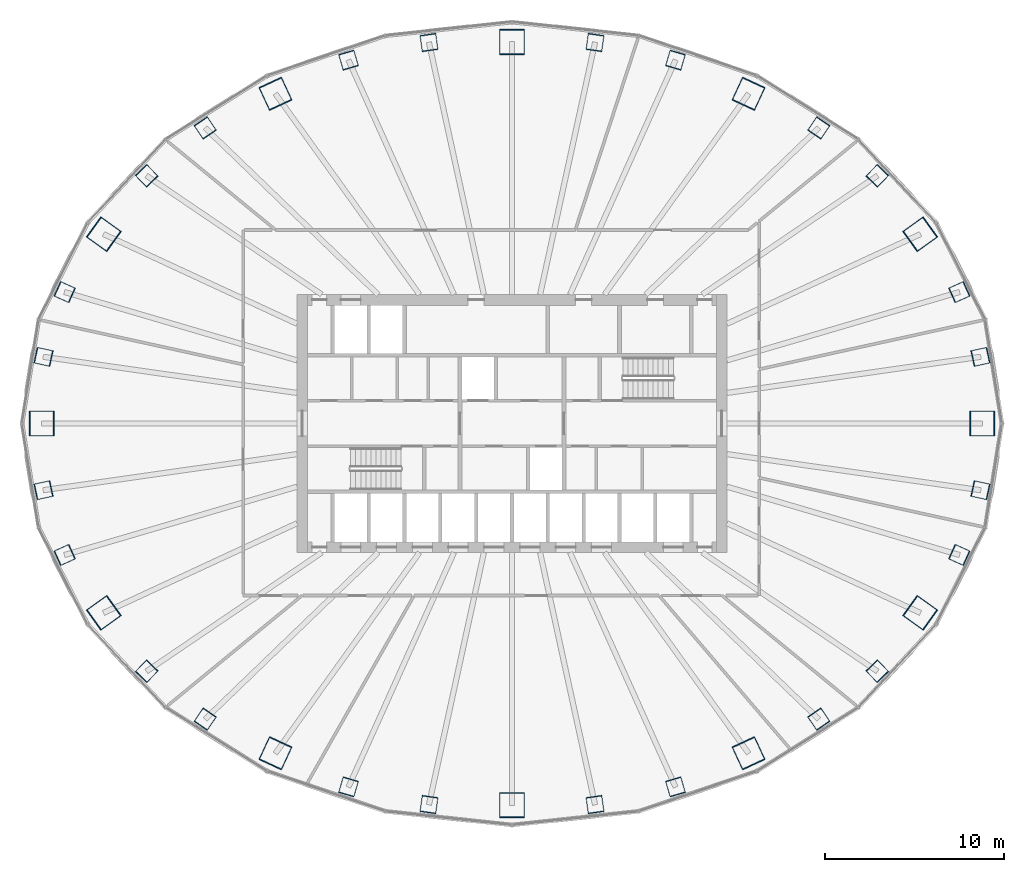
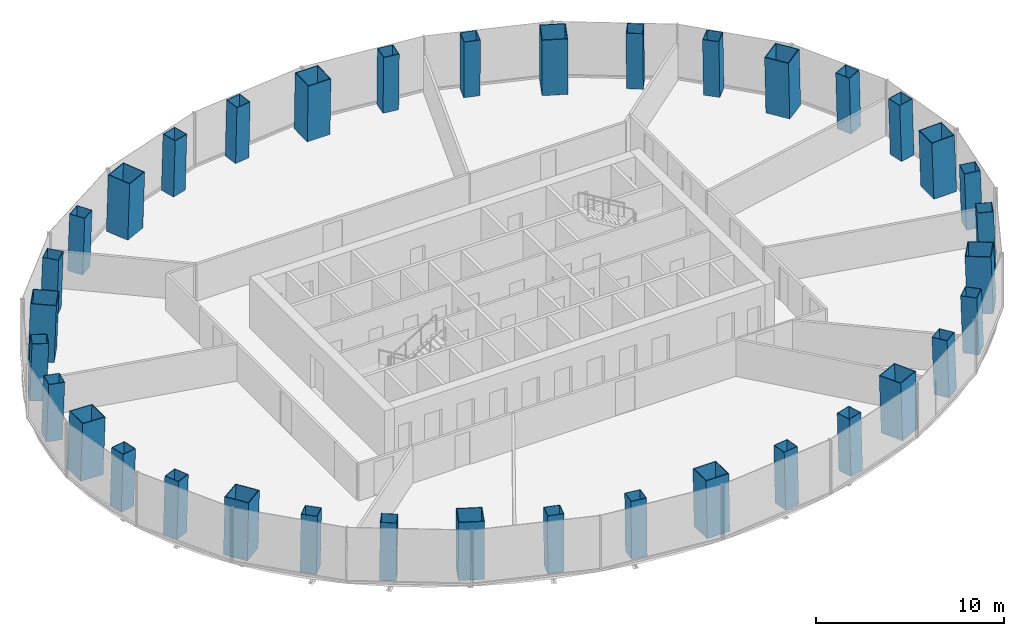
# One storey, part 1 of 11: 36 columns.
"""IFC4 building model written with IfcOpenShell, lengths in metres."""

from ifc_helpers import new_model, si_unit, direction, frame, origin, origin_2d, place, context, subcontext, project, spatial, hollow_rectangle, extrude, material, material_profile, profile_set, type_object, element, save


model = new_model("IFC4")

# Units and contexts
model_context = context("Model", 3, precision=1e-05, world=origin(), true_north=direction((0.0, 1.0)))
body_context = subcontext(model_context, "Body", "Model", "MODEL_VIEW")
ifc_project = project(units=[si_unit("LENGTHUNIT", "METRE"), si_unit("AREAUNIT", "SQUARE_METRE"), si_unit("VOLUMEUNIT", "CUBIC_METRE"), si_unit("PLANEANGLEUNIT", "RADIAN"), si_unit("MASSUNIT", "GRAM", prefix="KILO")], contexts=[model_context])

# Site, building, storey
site_placement = place(None, origin())
site = spatial("IfcSite", under=ifc_project, at=site_placement, CompositionType="ELEMENT")
building_placement = place(site_placement, origin())
building = spatial("IfcBuilding", under=site, at=building_placement, Name="Siaravel Broadcast Tower", CompositionType="ELEMENT")
storey_placement = place(building_placement, frame((0.0, 0.0, 63.0)))
storey = spatial("IfcBuildingStorey", under=building, at=storey_placement, Name="L14", CompositionType="ELEMENT", Elevation=63.0)

# Columns
ifc_material = material(Name="Concrete C70/85", Category="concrete")
ifc_material_profile_1 = material_profile(ifc_material, hollow_rectangle(XDim=1.39990234375, YDim=1.39990234375, WallThickness=0.0400390625, at=origin_2d()))
ifc_profile_set_1 = profile_set([ifc_material_profile_1], Name="Concrete C70/85")
column_type_1 = type_object("IfcColumnType", Name="COL-CFT BOX 1400x1400x40", PredefinedType="COLUMN", material=ifc_profile_set_1)
column_1_placement = place(storey_placement, frame((26.26171875, 0.0, 0.0), z_axis=(-0.034555398, 0.0, 0.999402784), x_axis=(0.0, -1.0, 0.0)))
element("IfcColumn", 1, at=column_1_placement, inside=storey, type_object=column_type_1, Name="Megacolumn MC01", PredefinedType="COLUMN", context=body_context, shape_type="SweptSolid", body=[
    extrude(hollow_rectangle(XDim=1.39990234375, YDim=1.39990234375, WallThickness=0.0400390625, at=origin_2d()), origin(), (0.0, 0.0, 1.0), 3.7021484375),
])
column_2_placement = place(storey_placement, frame((22.796875, 10.572509765625, 0.0), z_axis=(-0.029940667, -0.01417895, 0.999451106), x_axis=(0.582584077, -0.812748867, 0.005922281)))
element("IfcColumn", 2, at=column_2_placement, inside=storey, type_object=column_type_1, Name="Megacolumn MC02", PredefinedType="COLUMN", context=body_context, shape_type="SweptSolid", body=[
    extrude(hollow_rectangle(XDim=1.39990234375, YDim=1.39990234375, WallThickness=0.0400390625, at=origin_2d()), origin(), (0.0, 0.0, 1.0), 3.701904296875),
])
column_3_placement = place(storey_placement, frame((13.210693359375, 18.415283203125, 0.0), z_axis=(-0.017346173, -0.024535271, 0.999548463), x_axis=(0.906880334, -0.421353711, 0.005395312)))
element("IfcColumn", 3, at=column_3_placement, inside=storey, type_object=column_type_1, Name="Megacolumn MC03", PredefinedType="COLUMN", context=body_context, shape_type="SweptSolid", body=[
    extrude(hollow_rectangle(XDim=1.39990234375, YDim=1.39990234375, WallThickness=0.0400390625, at=origin_2d()), origin(), (0.0, 0.0, 1.0), 3.70166015625),
])
column_4_placement = place(storey_placement, frame((0.0, 21.3125, 0.0), z_axis=(0.0, -0.02836206, 0.999597716), x_axis=(1.0, 0.0, 0.0)))
element("IfcColumn", 4, at=column_4_placement, inside=storey, type_object=column_type_1, Name="Megacolumn MC04", PredefinedType="COLUMN", context=body_context, shape_type="SweptSolid", body=[
    extrude(hollow_rectangle(XDim=1.39990234375, YDim=1.39990234375, WallThickness=0.0400390625, at=origin_2d()), origin(), (0.0, 0.0, 1.0), 3.701416015625),
])
column_5_placement = place(storey_placement, frame((-13.210693359375, 18.415283203125, 0.0), z_axis=(0.017346173, -0.024535271, 0.999548463), x_axis=(0.906880334, 0.421353711, -0.005395312)))
element("IfcColumn", 5, at=column_5_placement, inside=storey, type_object=column_type_1, Name="Megacolumn MC05", PredefinedType="COLUMN", context=body_context, shape_type="SweptSolid", body=[
    extrude(hollow_rectangle(XDim=1.39990234375, YDim=1.39990234375, WallThickness=0.0400390625, at=origin_2d()), origin(), (0.0, 0.0, 1.0), 3.70166015625),
])
column_6_placement = place(storey_placement, frame((-22.796875, 10.572509765625, 0.0), z_axis=(0.029940667, -0.01417895, 0.999451106), x_axis=(0.582584077, 0.812748867, -0.005922281)))
element("IfcColumn", 6, at=column_6_placement, inside=storey, type_object=column_type_1, Name="Megacolumn MC06", PredefinedType="COLUMN", context=body_context, shape_type="SweptSolid", body=[
    extrude(hollow_rectangle(XDim=1.39990234375, YDim=1.39990234375, WallThickness=0.0400390625, at=origin_2d()), origin(), (0.0, 0.0, 1.0), 3.701904296875),
])
column_7_placement = place(storey_placement, frame((-26.26171875, 0.0, 0.0), z_axis=(0.034555398, 0.0, 0.999402784), x_axis=(0.0, 1.0, 0.0)))
element("IfcColumn", 7, at=column_7_placement, inside=storey, type_object=column_type_1, Name="Megacolumn MC07", PredefinedType="COLUMN", context=body_context, shape_type="SweptSolid", body=[
    extrude(hollow_rectangle(XDim=1.39990234375, YDim=1.39990234375, WallThickness=0.0400390625, at=origin_2d()), origin(), (0.0, 0.0, 1.0), 3.7021484375),
])
column_8_placement = place(storey_placement, frame((-22.796875, -10.572509765625, 0.0), z_axis=(0.029940667, 0.01417895, 0.999451106), x_axis=(-0.582584077, 0.812748867, 0.005922281)))
element("IfcColumn", 8, at=column_8_placement, inside=storey, type_object=column_type_1, Name="Megacolumn MC08", PredefinedType="COLUMN", context=body_context, shape_type="SweptSolid", body=[
    extrude(hollow_rectangle(XDim=1.39990234375, YDim=1.39990234375, WallThickness=0.0400390625, at=origin_2d()), origin(), (0.0, 0.0, 1.0), 3.701904296875),
])
column_9_placement = place(storey_placement, frame((-13.210693359375, -18.415283203125, 0.0), z_axis=(0.017346173, 0.024535271, 0.999548463), x_axis=(-0.906880334, 0.421353711, 0.005395312)))
element("IfcColumn", 9, at=column_9_placement, inside=storey, type_object=column_type_1, Name="Megacolumn MC09", PredefinedType="COLUMN", context=body_context, shape_type="SweptSolid", body=[
    extrude(hollow_rectangle(XDim=1.39990234375, YDim=1.39990234375, WallThickness=0.0400390625, at=origin_2d()), origin(), (0.0, 0.0, 1.0), 3.70166015625),
])
column_10_placement = place(storey_placement, frame((0.0, -21.3125, 0.0), z_axis=(0.0, 0.02836206, 0.999597716), x_axis=(-1.0, 0.0, 0.0)))
element("IfcColumn", 10, at=column_10_placement, inside=storey, type_object=column_type_1, Name="Megacolumn MC10", PredefinedType="COLUMN", context=body_context, shape_type="SweptSolid", body=[
    extrude(hollow_rectangle(XDim=1.39990234375, YDim=1.39990234375, WallThickness=0.0400390625, at=origin_2d()), origin(), (0.0, 0.0, 1.0), 3.701416015625),
])
column_11_placement = place(storey_placement, frame((13.210693359375, -18.415283203125, 0.0), z_axis=(-0.017346173, 0.024535271, 0.999548463), x_axis=(-0.906880334, -0.421353711, -0.005395312)))
element("IfcColumn", 11, at=column_11_placement, inside=storey, type_object=column_type_1, Name="Megacolumn MC11", PredefinedType="COLUMN", context=body_context, shape_type="SweptSolid", body=[
    extrude(hollow_rectangle(XDim=1.39990234375, YDim=1.39990234375, WallThickness=0.0400390625, at=origin_2d()), origin(), (0.0, 0.0, 1.0), 3.70166015625),
])
column_12_placement = place(storey_placement, frame((22.796875, -10.572509765625, 0.0), z_axis=(-0.029940667, 0.01417895, 0.999451106), x_axis=(-0.582584077, -0.812748867, -0.005922281)))
element("IfcColumn", 12, at=column_12_placement, inside=storey, type_object=column_type_1, Name="Megacolumn MC12", PredefinedType="COLUMN", context=body_context, shape_type="SweptSolid", body=[
    extrude(hollow_rectangle(XDim=1.39990234375, YDim=1.39990234375, WallThickness=0.0400390625, at=origin_2d()), origin(), (0.0, 0.0, 1.0), 3.701904296875),
])
ifc_material_profile_2 = material_profile(ifc_material, hollow_rectangle(XDim=0.89990234375, YDim=0.89990234375, WallThickness=0.02490234375, at=origin_2d()))
ifc_profile_set_2 = profile_set([ifc_material_profile_2], Name="Concrete C70/85")
column_type_2 = type_object("IfcColumnType", Name="COL-CFT BOX 900x900x25", PredefinedType="COLUMN", material=ifc_profile_set_2)
for number, where, z_axis, x_axis, name in (
    (13, (26.1640625, 3.723388671875, 0.0), (-0.034093914, -0.00487998, 0.999406719), (0.211191498, -0.97744168, 0.002431892), "Perimeter column C01"),
    (14, (24.980712890625, 7.340576171875, 0.0), (-0.032511791, -0.009694185, 0.999424337), (0.409615192, -0.912247421, 0.004476405), "Perimeter column C02"),
):
    element("IfcColumn", number, at=place(storey_placement, frame(where, z_axis=z_axis, x_axis=x_axis)), inside=storey, type_object=column_type_2, Name=name, PredefinedType="COLUMN", context=body_context, shape_type="SweptSolid", body=[
        extrude(hollow_rectangle(XDim=0.89990234375, YDim=0.89990234375, WallThickness=0.02490234375, at=origin_2d()), origin(), (0.0, 0.0, 1.0), 3.7021484375),
    ])
column_13_placement = place(storey_placement, frame((20.401611328125, 13.833984375, 0.0), z_axis=(-0.026512179, -0.018202391, 0.999482755), x_axis=(0.71952369, -0.694438044, 0.006439038)))
element("IfcColumn", 15, at=column_13_placement, inside=storey, type_object=column_type_2, Name="Perimeter column C03", PredefinedType="COLUMN", context=body_context, shape_type="SweptSolid", body=[
    extrude(hollow_rectangle(XDim=0.89990234375, YDim=0.89990234375, WallThickness=0.02490234375, at=origin_2d()), origin(), (0.0, 0.0, 1.0), 3.701904296875),
])
column_14_placement = place(storey_placement, frame((17.134765625, 16.509521484375, 0.0), z_axis=(-0.022226156, -0.021698532, 0.999517469), x_axis=(0.82774442, -0.561070771, 0.006226169)))
element("IfcColumn", 16, at=column_14_placement, inside=storey, type_object=column_type_2, Name="Perimeter column C04", PredefinedType="COLUMN", context=body_context, shape_type="SweptSolid", body=[
    extrude(hollow_rectangle(XDim=0.89990234375, YDim=0.89990234375, WallThickness=0.02490234375, at=origin_2d()), origin(), (0.0, 0.0, 1.0), 3.70166015625),
])
for number, where, z_axis, x_axis, name in (
    (17, (9.129638671875, 20.294189453125, 0.0), (-0.011806266, -0.026646544, 0.999575197), (0.959901605, -0.280310488, 0.00386519), "Perimeter column C05"),
    (18, (4.636962890625, 21.280029296875, 0.0), (-0.006002173, -0.027900212, 0.999592693), (0.990098559, -0.140359297, 0.002027515), "Perimeter column C06"),
    (19, (-4.636962890625, 21.280029296875, 0.0), (0.006002173, -0.027900212, 0.999592693), (0.990098559, 0.140359297, -0.002027515), "Perimeter column C07"),
    (20, (-9.129638671875, 20.294189453125, 0.0), (0.011806266, -0.026646544, 0.999575197), (0.959901605, 0.280310488, -0.00386519), "Perimeter column C08"),
):
    element("IfcColumn", number, at=place(storey_placement, frame(where, z_axis=z_axis, x_axis=x_axis)), inside=storey, type_object=column_type_2, Name=name, PredefinedType="COLUMN", context=body_context, shape_type="SweptSolid", body=[
        extrude(hollow_rectangle(XDim=0.89990234375, YDim=0.89990234375, WallThickness=0.02490234375, at=origin_2d()), origin(), (0.0, 0.0, 1.0), 3.701416015625),
    ])
column_15_placement = place(storey_placement, frame((-17.134765625, 16.509521484375, 0.0), z_axis=(0.022226156, -0.021698532, 0.999517469), x_axis=(0.82774442, 0.561070771, -0.006226169)))
element("IfcColumn", 21, at=column_15_placement, inside=storey, type_object=column_type_2, Name="Perimeter column C09", PredefinedType="COLUMN", context=body_context, shape_type="SweptSolid", body=[
    extrude(hollow_rectangle(XDim=0.89990234375, YDim=0.89990234375, WallThickness=0.02490234375, at=origin_2d()), origin(), (0.0, 0.0, 1.0), 3.70166015625),
])
column_16_placement = place(storey_placement, frame((-20.401611328125, 13.833984375, 0.0), z_axis=(0.026512179, -0.018202391, 0.999482755), x_axis=(0.71952369, 0.694438044, -0.006439038)))
element("IfcColumn", 22, at=column_16_placement, inside=storey, type_object=column_type_2, Name="Perimeter column C10", PredefinedType="COLUMN", context=body_context, shape_type="SweptSolid", body=[
    extrude(hollow_rectangle(XDim=0.89990234375, YDim=0.89990234375, WallThickness=0.02490234375, at=origin_2d()), origin(), (0.0, 0.0, 1.0), 3.701904296875),
])
for number, where, z_axis, x_axis, name in (
    (23, (-24.980712890625, 7.340576171875, 0.0), (0.032511791, -0.009694185, 0.999424337), (0.409615192, 0.912247421, -0.004476405), "Perimeter column C11"),
    (24, (-26.1640625, 3.723388671875, 0.0), (0.034093914, -0.00487998, 0.999406719), (0.211191498, 0.97744168, -0.002431892), "Perimeter column C12"),
    (25, (-26.1640625, -3.723388671875, 0.0), (0.034093914, 0.00487998, 0.999406719), (-0.211191498, 0.97744168, 0.002431892), "Perimeter column C13"),
    (26, (-24.980712890625, -7.340576171875, 0.0), (0.032511791, 0.009694185, 0.999424337), (-0.409615192, 0.912247421, 0.004476405), "Perimeter column C14"),
):
    element("IfcColumn", number, at=place(storey_placement, frame(where, z_axis=z_axis, x_axis=x_axis)), inside=storey, type_object=column_type_2, Name=name, PredefinedType="COLUMN", context=body_context, shape_type="SweptSolid", body=[
        extrude(hollow_rectangle(XDim=0.89990234375, YDim=0.89990234375, WallThickness=0.02490234375, at=origin_2d()), origin(), (0.0, 0.0, 1.0), 3.7021484375),
    ])
column_17_placement = place(storey_placement, frame((-20.401611328125, -13.833984375, 0.0), z_axis=(0.026512179, 0.018202391, 0.999482755), x_axis=(-0.71952369, 0.694438044, 0.006439038)))
element("IfcColumn", 27, at=column_17_placement, inside=storey, type_object=column_type_2, Name="Perimeter column C15", PredefinedType="COLUMN", context=body_context, shape_type="SweptSolid", body=[
    extrude(hollow_rectangle(XDim=0.89990234375, YDim=0.89990234375, WallThickness=0.02490234375, at=origin_2d()), origin(), (0.0, 0.0, 1.0), 3.701904296875),
])
column_18_placement = place(storey_placement, frame((-17.134765625, -16.509521484375, 0.0), z_axis=(0.022226156, 0.021698532, 0.999517469), x_axis=(-0.82774442, 0.561070771, 0.006226169)))
element("IfcColumn", 28, at=column_18_placement, inside=storey, type_object=column_type_2, Name="Perimeter column C16", PredefinedType="COLUMN", context=body_context, shape_type="SweptSolid", body=[
    extrude(hollow_rectangle(XDim=0.89990234375, YDim=0.89990234375, WallThickness=0.02490234375, at=origin_2d()), origin(), (0.0, 0.0, 1.0), 3.70166015625),
])
for number, where, z_axis, x_axis, name in (
    (29, (-9.129638671875, -20.294189453125, 0.0), (0.011806266, 0.026646544, 0.999575197), (-0.959901605, 0.280310488, 0.00386519), "Perimeter column C17"),
    (30, (-4.636962890625, -21.280029296875, 0.0), (0.006002173, 0.027900212, 0.999592693), (-0.990098559, 0.140359297, 0.002027515), "Perimeter column C18"),
    (31, (4.636962890625, -21.280029296875, 0.0), (-0.006002173, 0.027900212, 0.999592693), (-0.990098559, -0.140359297, -0.002027515), "Perimeter column C19"),
    (32, (9.129638671875, -20.294189453125, 0.0), (-0.011806266, 0.026646544, 0.999575197), (-0.959901605, -0.280310488, -0.00386519), "Perimeter column C20"),
):
    element("IfcColumn", number, at=place(storey_placement, frame(where, z_axis=z_axis, x_axis=x_axis)), inside=storey, type_object=column_type_2, Name=name, PredefinedType="COLUMN", context=body_context, shape_type="SweptSolid", body=[
        extrude(hollow_rectangle(XDim=0.89990234375, YDim=0.89990234375, WallThickness=0.02490234375, at=origin_2d()), origin(), (0.0, 0.0, 1.0), 3.701416015625),
    ])
column_19_placement = place(storey_placement, frame((17.134765625, -16.509521484375, 0.0), z_axis=(-0.022226156, 0.021698532, 0.999517469), x_axis=(-0.82774442, -0.561070771, -0.006226169)))
element("IfcColumn", 33, at=column_19_placement, inside=storey, type_object=column_type_2, Name="Perimeter column C21", PredefinedType="COLUMN", context=body_context, shape_type="SweptSolid", body=[
    extrude(hollow_rectangle(XDim=0.89990234375, YDim=0.89990234375, WallThickness=0.02490234375, at=origin_2d()), origin(), (0.0, 0.0, 1.0), 3.70166015625),
])
column_20_placement = place(storey_placement, frame((20.401611328125, -13.833984375, 0.0), z_axis=(-0.026512179, 0.018202391, 0.999482755), x_axis=(-0.71952369, -0.694438044, -0.006439038)))
element("IfcColumn", 34, at=column_20_placement, inside=storey, type_object=column_type_2, Name="Perimeter column C22", PredefinedType="COLUMN", context=body_context, shape_type="SweptSolid", body=[
    extrude(hollow_rectangle(XDim=0.89990234375, YDim=0.89990234375, WallThickness=0.02490234375, at=origin_2d()), origin(), (0.0, 0.0, 1.0), 3.701904296875),
])
for number, where, z_axis, x_axis, name in (
    (35, (24.980712890625, -7.340576171875, 0.0), (-0.032511791, 0.009694185, 0.999424337), (-0.409615192, -0.912247421, -0.004476405), "Perimeter column C23"),
    (36, (26.1640625, -3.723388671875, 0.0), (-0.034093914, 0.00487998, 0.999406719), (-0.211191498, -0.97744168, -0.002431892), "Perimeter column C24"),
):
    element("IfcColumn", number, at=place(storey_placement, frame(where, z_axis=z_axis, x_axis=x_axis)), inside=storey, type_object=column_type_2, Name=name, PredefinedType="COLUMN", context=body_context, shape_type="SweptSolid", body=[
        extrude(hollow_rectangle(XDim=0.89990234375, YDim=0.89990234375, WallThickness=0.02490234375, at=origin_2d()), origin(), (0.0, 0.0, 1.0), 3.7021484375),
    ])

save(model, "model.ifc")
